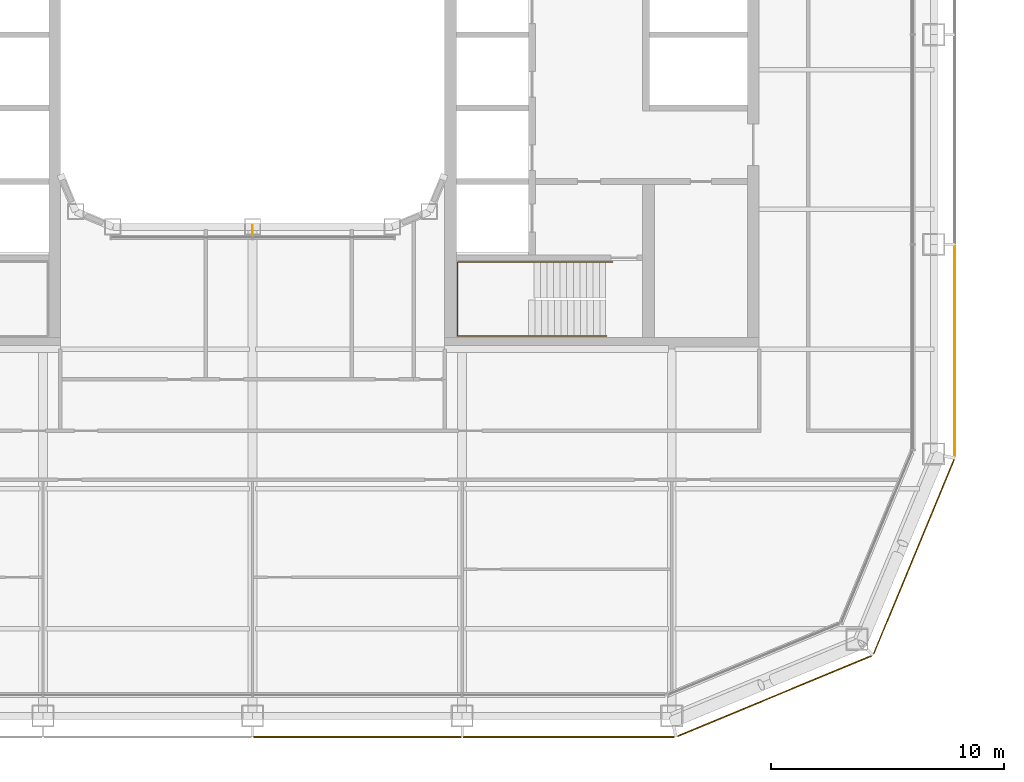
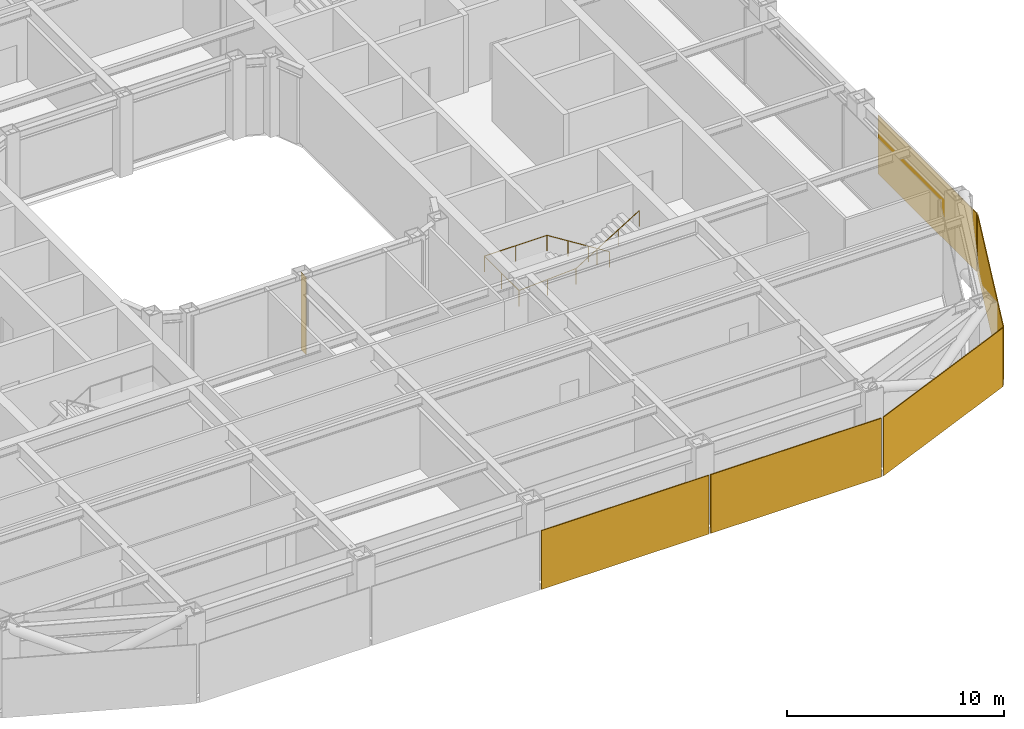
# One storey, part 20 of 24: 5 coverings, 1 railing, 1 shading device.
"""IFC4 building model written with IfcOpenShell, lengths in metres."""

from ifc_helpers import new_model, si_unit, direction, frame, origin, origin_2d, place, context, subcontext, project, spatial, rectangle, circle, extrude, material, layer, layer_set, type_object, element, save


model = new_model("IFC4")

# Units and contexts
model_context = context("Model", 3, precision=1e-05, world=origin(), true_north=direction((0.0, 1.0)))
body_context = subcontext(model_context, "Body", "Model", "MODEL_VIEW")
ifc_project = project(units=[si_unit("LENGTHUNIT", "METRE"), si_unit("AREAUNIT", "SQUARE_METRE"), si_unit("VOLUMEUNIT", "CUBIC_METRE"), si_unit("PLANEANGLEUNIT", "RADIAN"), si_unit("MASSUNIT", "GRAM", prefix="KILO")], contexts=[model_context])

# Site, building, storey
site_placement = place(None, origin())
site = spatial("IfcSite", under=ifc_project, at=site_placement, CompositionType="ELEMENT")
building_placement = place(site_placement, origin())
building = spatial("IfcBuilding", under=site, at=building_placement, Name="Siwar Civic Tower", CompositionType="ELEMENT")
storey_placement = place(building_placement, frame((0.0, 0.0, 113.699951171875)))
storey = spatial("IfcBuildingStorey", under=building, at=storey_placement, Name="L24", CompositionType="ELEMENT", Elevation=113.699951171875)

# Railing
ifc_material_1 = material(Name="Stainless steel", Category="steel")
railing_type = type_object("IfcRailingType", Name="CORE-STAIR-HANDRAIL", PredefinedType="HANDRAIL", material=ifc_material_1)
railing_placement = place(storey_placement, frame((15.449951171875, -9.758056640625, 0.173095703125)))
element("IfcRailing", 1, at=railing_placement, inside=storey, type_object=railing_type, Name="Stair handrail ST4", PredefinedType="HANDRAIL", context=body_context, shape_type="SweptSolid", body=[
    extrude(circle(Radius=0.02001953125, at=origin_2d()), frame((0.0, 0.0, 0.8798828125), z_axis=(-0.847063342986, 0.0, 0.531491950051), x_axis=(0.0, -1.0, 0.0)), (0.0, 0.0, 1.0), 3.90771484375),
    extrude(circle(Radius=0.02001953125, at=origin_2d()), frame((-3.31005859375, 0.0, 2.956787109375), z_axis=(-1.0, 0.0, 0.0), x_axis=(0.0, -1.0, 0.0)), (0.0, 0.0, 1.0), 3.331787109375),
    extrude(circle(Radius=0.02001953125, at=origin_2d()), frame((-6.641845703125, 0.0, 2.956787109375), z_axis=(0.0, -1.0, 0.0), x_axis=(1.0, 0.0, 0.0)), (0.0, 0.0, 1.0), 3.183837890625),
    extrude(circle(Radius=0.02001953125, at=origin_2d()), frame((-6.641845703125, -3.183837890625, 2.956787109375), z_axis=(0.99837434197, 0.0, 0.056997134106), x_axis=(0.0, 1.0, 0.0)), (0.0, 0.0, 1.0), 3.036865234375),
    extrude(circle(Radius=0.02001953125, at=origin_2d()), frame((-3.60986328125, -3.183837890625, 3.1298828125), z_axis=(0.850606129759, 0.0, 0.525803396734), x_axis=(0.0, 1.0, 0.0)), (0.0, 0.0, 1.0), 3.949951171875),
    extrude(circle(Radius=0.02001953125, at=origin_2d()), origin(), (0.0, 0.0, 1.0), 0.85986328125),
    extrude(circle(Radius=0.02001953125, at=origin_2d()), frame((-1.103271484375, 0.0, 0.6923828125)), (0.0, 0.0, 1.0), 0.85986328125),
    extrude(circle(Radius=0.02001953125, at=origin_2d()), frame((-2.206787109375, 0.0, 1.384521484375)), (0.0, 0.0, 1.0), 0.85986328125),
    extrude(circle(Radius=0.02001953125, at=origin_2d()), frame((-3.31005859375, 0.0, 2.076904296875)), (0.0, 0.0, 1.0), 0.85986328125),
    extrude(circle(Radius=0.02001953125, at=origin_2d()), frame((-4.97607421875, 0.0, 2.076904296875)), (0.0, 0.0, 1.0), 0.85986328125),
    extrude(circle(Radius=0.02001953125, at=origin_2d()), frame((-6.641845703125, 0.0, 2.076904296875)), (0.0, 0.0, 1.0), 0.85986328125),
    extrude(circle(Radius=0.02001953125, at=origin_2d()), frame((-6.641845703125, -1.591796875, 2.076904296875)), (0.0, 0.0, 1.0), 0.85986328125),
    extrude(circle(Radius=0.02001953125, at=origin_2d()), frame((-6.641845703125, -3.183837890625, 2.076904296875)), (0.0, 0.0, 1.0), 0.85986328125),
    extrude(circle(Radius=0.02001953125, at=origin_2d()), frame((-5.1259765625, -3.183837890625, 2.16357421875)), (0.0, 0.0, 1.0), 0.85986328125),
    extrude(circle(Radius=0.02001953125, at=origin_2d()), frame((-3.60986328125, -3.183837890625, 2.25)), (0.0, 0.0, 1.0), 0.85986328125),
    extrude(circle(Radius=0.02001953125, at=origin_2d()), frame((-2.489990234375, -3.183837890625, 2.9423828125)), (0.0, 0.0, 1.0), 0.85986328125),
    extrude(circle(Radius=0.02001953125, at=origin_2d()), frame((-1.369873046875, -3.183837890625, 3.634521484375)), (0.0, 0.0, 1.0), 0.85986328125),
    extrude(circle(Radius=0.02001953125, at=origin_2d()), frame((-0.25, -3.183837890625, 4.326904296875)), (0.0, 0.0, 1.0), 0.85986328125),
])

# Shading device
ifc_material_2 = material(Name="Aluminium 6063-T6", Category="aluminium")
ifc_layer_1 = layer(ifc_material_2, 0.02001953125)
ifc_layer_set_1 = layer_set([ifc_layer_1], Name="Aluminium 6063-T6")
shading_device_type = type_object("IfcShadingDeviceType", Name="ENV-FIN", PredefinedType="JALOUSIE", material=ifc_layer_set_1)
shading_device_placement = place(storey_placement, frame((0.0, -8.39501953125, 0.0), z_axis=(0.0, 0.0, 1.0), x_axis=(1.0, 0.0, 0.0)))
element("IfcShadingDevice", 2, at=shading_device_placement, inside=storey, type_object=shading_device_type, Name="SUNSHADE fin WS 1", PredefinedType="JALOUSIE", context=body_context, shape_type="SweptSolid", body=[
    extrude(rectangle(XDim=0.02001953125, YDim=0.449951171875, at=origin_2d()), origin(), (0.0, 0.0, 1.0), 4.35009765625),
])

# Coverings
ifc_material_3 = material(Name="Perforated aluminium cassette, pale metal", Category="aluminium")
ifc_layer_2 = layer(ifc_material_3, 0.0400390625)
ifc_layer_set_2 = layer_set([ifc_layer_2], Name="Perforated aluminium cassette, pale metal")
covering_type_1 = type_object("IfcCoveringType", Name="ENV-OUTER SKIN OS-1", PredefinedType="CLADDING", material=ifc_layer_set_2)
covering_1_placement = place(storey_placement, frame((30.14990234375, -13.57958984375, -0.14990234375), z_axis=(0.0, 0.0, 1.0), x_axis=(0.0, 1.0, 0.0)))
element("IfcCovering", 3, at=covering_1_placement, inside=storey, type_object=covering_type_1, Name="OUTER SKIN OS-1 E 1", PredefinedType="CLADDING", context=body_context, shape_type="SweptSolid", body=[
    extrude(rectangle(XDim=9.05908203125, YDim=0.0400390625, at=origin_2d()), origin(), (0.0, 0.0, 1.0), 3.300048828125),
])
ifc_material_4 = material(Name="Perforated aluminium cassette, pale metal", Category="aluminium")
ifc_layer_3 = layer(ifc_material_4, 0.044921875)
ifc_layer_set_3 = layer_set([ifc_layer_3], Name="Perforated aluminium cassette, pale metal")
covering_type_2 = type_object("IfcCoveringType", Name="ENV-OUTER SKIN OS-2", PredefinedType="CLADDING", material=ifc_layer_set_3)
covering_2_placement = place(storey_placement, frame((28.39697265625, -22.411376953125, -0.14990234375), z_axis=(0.0, 0.0, 1.0), x_axis=(0.382683432365, 0.923879532511, 0.0)))
element("IfcCovering", 4, at=covering_2_placement, inside=storey, type_object=covering_type_2, Name="OUTER SKIN OS-2 SE2 1", PredefinedType="CLADDING", context=body_context, shape_type="SweptSolid", body=[
    extrude(rectangle(XDim=9.022216796875, YDim=0.044921875, at=origin_2d()), origin(), (0.0, 0.0, 1.0), 3.300048828125),
])
ifc_material_5 = material(Name="Perforated aluminium cassette, pale metal", Category="aluminium")
ifc_layer_4 = layer(ifc_material_5, 0.050048828125)
ifc_layer_set_4 = layer_set([ifc_layer_4], Name="Perforated aluminium cassette, pale metal")
covering_type_3 = type_object("IfcCoveringType", Name="ENV-OUTER SKIN OS-3", PredefinedType="CLADDING", material=ifc_layer_set_4)
covering_3_placement = place(storey_placement, frame((22.411376953125, -28.39697265625, -0.14990234375), z_axis=(0.0, 0.0, 1.0), x_axis=(0.923879532511, 0.382683432365, 0.0)))
element("IfcCovering", 5, at=covering_3_placement, inside=storey, type_object=covering_type_3, Name="OUTER SKIN OS-3 SE1 1", PredefinedType="CLADDING", context=body_context, shape_type="SweptSolid", body=[
    extrude(rectangle(XDim=9.022216796875, YDim=0.050048828125, at=origin_2d()), origin(), (0.0, 0.0, 1.0), 3.300048828125),
])
ifc_material_6 = material(Name="Perforated aluminium cassette, pale metal", Category="aluminium")
ifc_layer_5 = layer(ifc_material_6, 0.054931640625)
ifc_layer_set_5 = layer_set([ifc_layer_5], Name="Perforated aluminium cassette, pale metal")
covering_type_4 = type_object("IfcCoveringType", Name="ENV-OUTER SKIN OS-4", PredefinedType="CLADDING", material=ifc_layer_set_5)
covering_4_placement = place(storey_placement, frame((4.5, -30.14990234375, -0.14990234375), z_axis=(0.0, 0.0, 1.0), x_axis=(1.0, 0.0, 0.0)))
element("IfcCovering", 6, at=covering_4_placement, inside=storey, type_object=covering_type_4, Name="OUTER SKIN OS-4 S 3", PredefinedType="CLADDING", context=body_context, shape_type="SweptSolid", body=[
    extrude(rectangle(XDim=8.89990234375, YDim=0.054931640625, at=origin_2d()), origin(), (0.0, 0.0, 1.0), 3.300048828125),
])
covering_5_placement = place(storey_placement, frame((13.57958984375, -30.14990234375, -0.14990234375), z_axis=(0.0, 0.0, 1.0), x_axis=(1.0, 0.0, 0.0)))
element("IfcCovering", 7, at=covering_5_placement, inside=storey, type_object=covering_type_4, Name="OUTER SKIN OS-4 S 4", PredefinedType="CLADDING", context=body_context, shape_type="SweptSolid", body=[
    extrude(rectangle(XDim=9.05908203125, YDim=0.054931640625, at=origin_2d()), origin(), (0.0, 0.0, 1.0), 3.300048828125),
])

save(model, "model.ifc")
